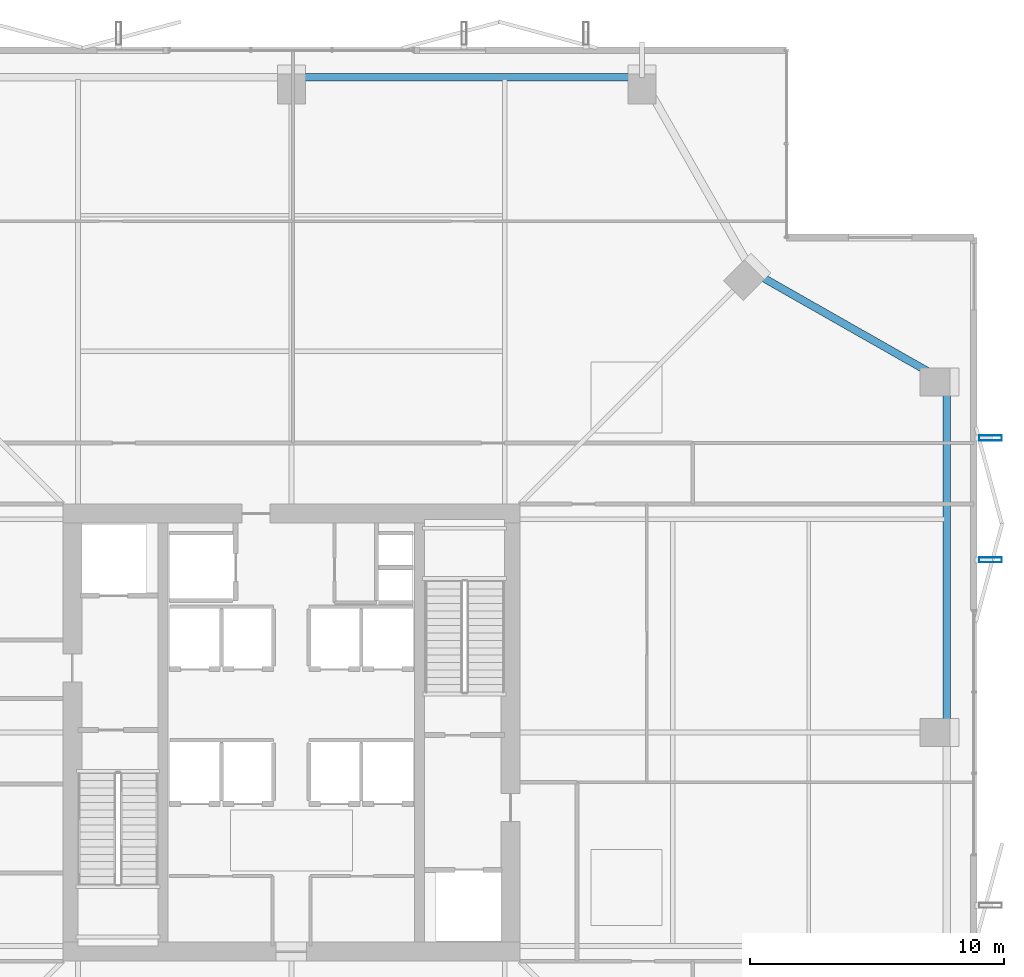
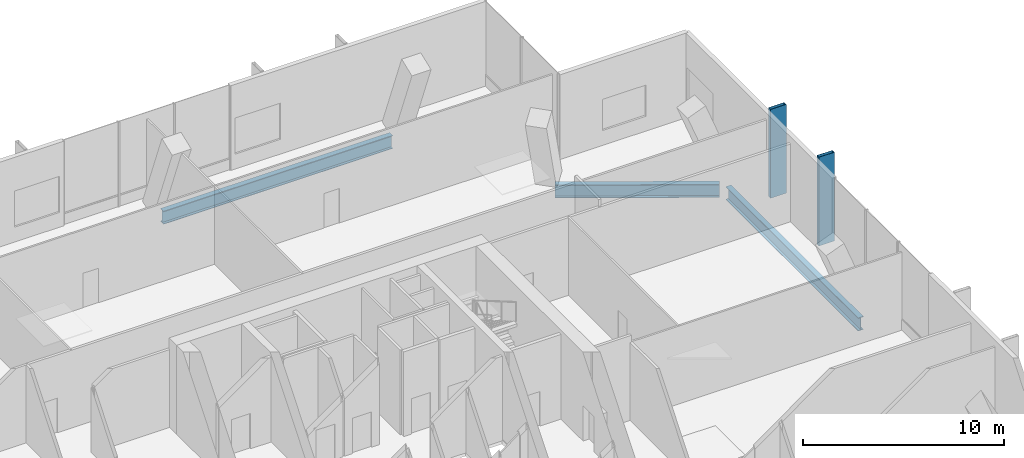
# One storey, part 25 of 33: 3 beams, 2 members.
"""IFC4 building model written with IfcOpenShell, lengths in metres."""

from ifc_helpers import new_model, si_unit, direction, frame, origin, origin_2d, place, context, subcontext, project, spatial, hollow_rectangle, i_section, extrude, material, material_profile, profile_set, type_object, element, save


model = new_model("IFC4")

# Units and contexts
model_context = context("Model", 3, precision=1e-05, world=origin(), true_north=direction((0.0, 1.0)))
body_context = subcontext(model_context, "Body", "Model", "MODEL_VIEW")
ifc_project = project(units=[si_unit("LENGTHUNIT", "METRE"), si_unit("AREAUNIT", "SQUARE_METRE"), si_unit("VOLUMEUNIT", "CUBIC_METRE"), si_unit("PLANEANGLEUNIT", "RADIAN"), si_unit("MASSUNIT", "GRAM", prefix="KILO")], contexts=[model_context])

# Site, building, storey
site_placement = place(None, origin())
site = spatial("IfcSite", under=ifc_project, at=site_placement, CompositionType="ELEMENT")
building_placement = place(site_placement, origin())
building = spatial("IfcBuilding", under=site, at=building_placement, Name="Belovzor Exchange Tower", CompositionType="ELEMENT")
storey_placement = place(building_placement, frame((0.0, 0.0, 241.199951171875)))
storey = spatial("IfcBuildingStorey", under=building, at=storey_placement, Name="L60", CompositionType="ELEMENT", Elevation=241.199951171875)

# Beams
ifc_material_1 = material(Name="Steel S355", Category="steel")
ifc_material_profile_1 = material_profile(ifc_material_1, i_section(OverallWidth=0.300048828125, OverallDepth=0.800048828125, WebThickness=0.017578125, FlangeThickness=0.032958984375, at=origin_2d()))
ifc_profile_set_1 = profile_set([ifc_material_profile_1], Name="Steel S355")
beam_type = type_object("IfcBeamType", Name="Sky-Lobby Primary Girder HEB 800", PredefinedType="BEAM", material=ifc_profile_set_1)
beam_1_placement = place(storey_placement, frame((54.60009765625, 29.10205078125, -0.64990234375), z_axis=(0.0, 1.0, 0.0), x_axis=(-1.0, 0.0, 0.0)))
element("IfcBeam", 1, at=beam_1_placement, inside=storey, type_object=beam_type, Name="SG-1 Sky-Lobby Primary Girder HEB 800", PredefinedType="BEAM", context=body_context, shape_type="SweptSolid", body=[
    extrude(i_section(OverallWidth=0.300048828125, OverallDepth=0.800048828125, WebThickness=0.017578125, FlangeThickness=0.032958984375, at=origin_2d()), origin(), (0.0, 0.0, 1.0), 13.195068359375),
])
beam_2_placement = place(storey_placement, frame((54.3369140625, 42.75, -0.64990234375), z_axis=(-0.869335547884, 0.494222323641, 0.0), x_axis=(-0.494222323641, -0.869335547884, 0.0)))
element("IfcBeam", 2, at=beam_2_placement, inside=storey, type_object=beam_type, Name="SG-1 Sky-Lobby Primary Girder HEB 800", PredefinedType="BEAM", context=body_context, shape_type="SweptSolid", body=[
    extrude(i_section(OverallWidth=0.300048828125, OverallDepth=0.800048828125, WebThickness=0.017578125, FlangeThickness=0.032958984375, at=origin_2d()), origin(), (0.0, 0.0, 1.0), 8.19482421875),
])
beam_3_placement = place(storey_placement, frame((42.297119140625, 54.60009765625, -0.64990234375), z_axis=(-1.0, 0.0, 0.0), x_axis=(0.0, -1.0, 0.0)))
element("IfcBeam", 3, at=beam_3_placement, inside=storey, type_object=beam_type, Name="SG-1 Sky-Lobby Primary Girder HEB 800", PredefinedType="BEAM", context=body_context, shape_type="SweptSolid", body=[
    extrude(i_section(OverallWidth=0.300048828125, OverallDepth=0.800048828125, WebThickness=0.017578125, FlangeThickness=0.032958984375, at=origin_2d()), origin(), (0.0, 0.0, 1.0), 13.195068359375),
])

# Members
ifc_material_2 = material(Name="Extruded Architectural Terracotta on Steel S355 Carrier", Category="masonry")
ifc_material_profile_2 = material_profile(ifc_material_2, hollow_rectangle(XDim=0.199951171875, YDim=0.89990234375, WallThickness=0.011962890625, at=origin_2d()))
ifc_profile_set_2 = profile_set([ifc_material_profile_2], Name="Extruded Architectural Terracotta on Steel S355 Carrier")
member_type = type_object("IfcMemberType", Name="Sweeping Terracotta Baguette Fin Assembly 950", PredefinedType="USERDEFINED", material=ifc_profile_set_2)
for number, where, z_axis, x_axis, name in (
    (4, (56.324951171875, 35.60009765625, -0.25), (0.0, 0.0, 1.0), (0.0, 1.0, 0.0), "FIN-TC095 Terracotta Facade Fin L60 E3"),
    (5, (56.324951171875, 40.39990234375, -0.25), (0.0, 0.0, 1.0), (0.0, 1.0, 0.0), "FIN-TC095 Terracotta Facade Fin L60 E4"),
):
    element("IfcMember", number, at=place(storey_placement, frame(where, z_axis=z_axis, x_axis=x_axis)), inside=storey, type_object=member_type, Name=name, ObjectType="FIN", PredefinedType="USERDEFINED", context=body_context, shape_type="SweptSolid", body=[
        extrude(hollow_rectangle(XDim=0.199951171875, YDim=0.89990234375, WallThickness=0.011962890625, at=origin_2d()), origin(), (0.0, 0.0, 1.0), 5.400146484375),
    ])

save(model, "model.ifc")
